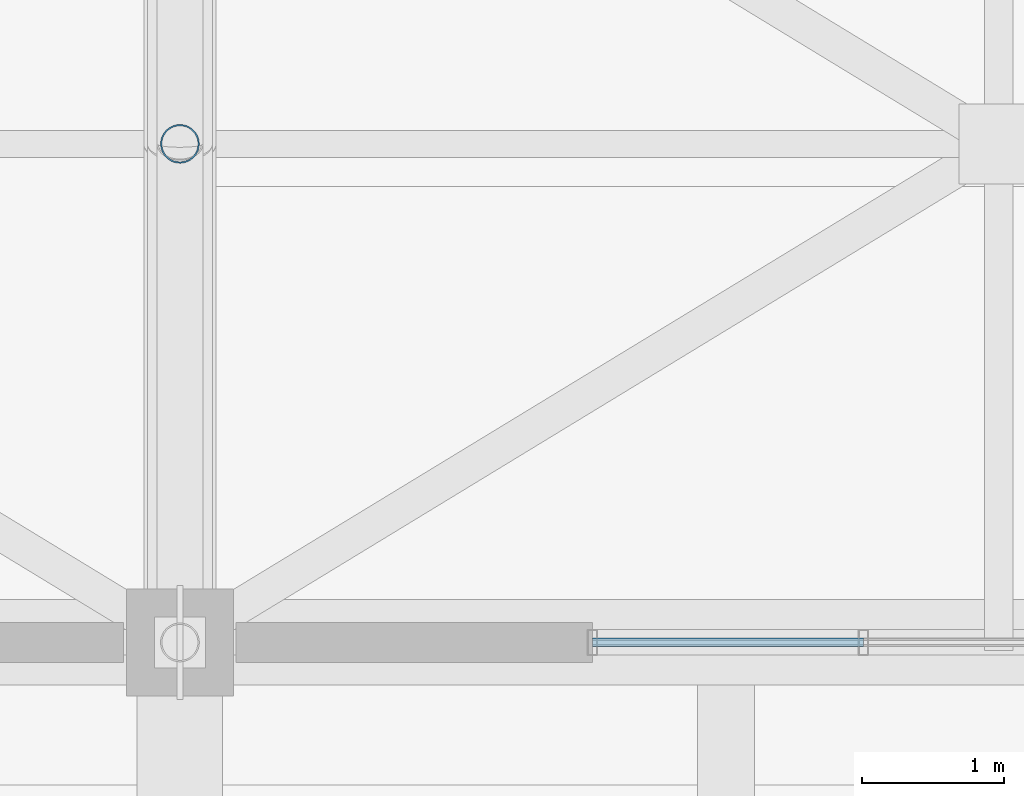
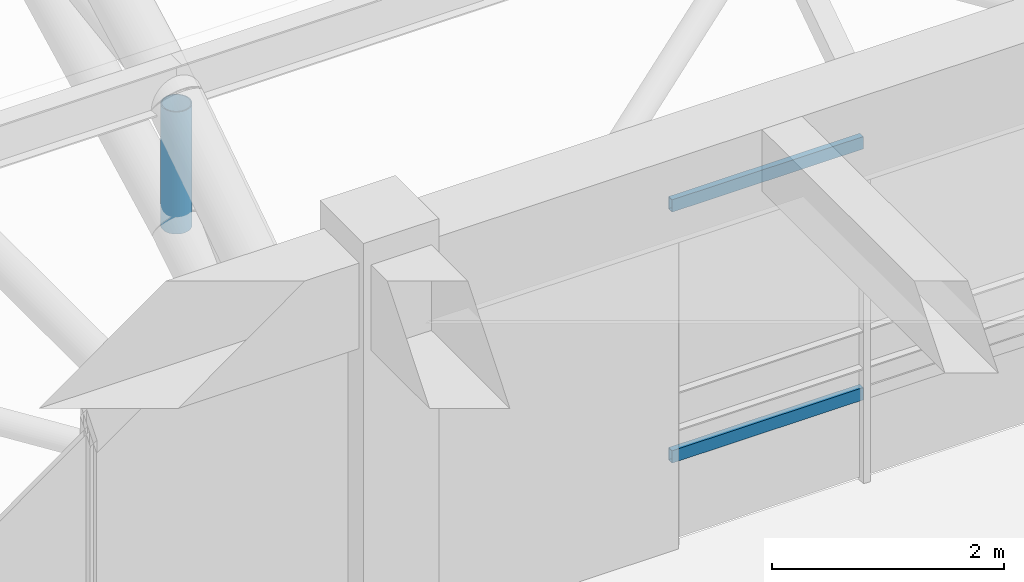
# One storey, part 37 of 154: 3 members, 1 element without a shape of its own.
"""IFC4 building model written with IfcOpenShell, lengths in metres."""

from ifc_helpers import new_model, si_unit, direction, frame, origin, origin_2d, place, context, subcontext, project, spatial, hollow_rectangle, hollow_circle, extrude, material, material_profile, profile_set, type_object, element, aggregate, save


model = new_model("IFC4")

# Units and contexts
model_context = context("Model", 3, precision=1e-05, world=origin(), true_north=direction((0.0, 1.0)))
body_context = subcontext(model_context, "Body", "Model", "MODEL_VIEW")
ifc_project = project(units=[si_unit("LENGTHUNIT", "METRE"), si_unit("AREAUNIT", "SQUARE_METRE"), si_unit("VOLUMEUNIT", "CUBIC_METRE"), si_unit("PLANEANGLEUNIT", "RADIAN"), si_unit("MASSUNIT", "GRAM", prefix="KILO")], contexts=[model_context])

# Site, building, storey
site_placement = place(None, origin())
site = spatial("IfcSite", under=ifc_project, at=site_placement, CompositionType="ELEMENT")
building_placement = place(site_placement, origin())
building = spatial("IfcBuilding", under=site, at=building_placement, Name="Ologun Quay Terminus", CompositionType="ELEMENT")
storey_placement = place(building_placement, frame((0.0, 0.0, 13.800048828125)))
storey = spatial("IfcBuildingStorey", under=building, at=storey_placement, Name="L03", CompositionType="ELEMENT", Elevation=13.800048828125)

# Member
ifc_material_1 = material(Name="Steel S355", Category="steel")
ifc_material_profile_1 = material_profile(ifc_material_1, hollow_circle(Radius=0.136474609375, WallThickness=0.010009765625, at=origin_2d()), Name="CHS 273x10")
ifc_profile_set_1 = profile_set([ifc_material_profile_1], Name="Steel S355")
member_type_1 = type_object("IfcMemberType", Name="Arch Truss Vertical Post CHS273", PredefinedType="STRUT", material=ifc_profile_set_1)
member_1_placement = place(storey_placement, frame((92.0, 39.5, 2.212158203125), z_axis=(0.0, 0.0, 1.0), x_axis=(1.0, 0.0, 0.0)))
element("IfcMember", 1, at=member_1_placement, inside=storey, type_object=member_type_1, Name="AW2 Arch Web Post 9-N1", PredefinedType="STRUT", context=body_context, shape_type="SweptSolid", body=[
    extrude(hollow_circle(Radius=0.136474609375, WallThickness=0.010009765625, at=origin_2d()), origin(), (0.0, 0.0, 1.0), 1.28564453125),
])

# Curtain wall, members
ifc_material_2 = material(Name="Aluminium 6063-T6", Category="aluminium")
curtain_wall_type = type_object("IfcCurtainWallType", Name="South Pavilion Clerestory Curtain Wall 10700x4050", PredefinedType="USERDEFINED", material=ifc_material_2)
curtain_wall_placement = place(storey_placement, origin())
curtain_wall = element("IfcCurtainWall", 2, at=curtain_wall_placement, inside=storey, type_object=curtain_wall_type, Name="CW-07 Curtain Wall CW-L03-043", ObjectType="UNITISED CURTAIN WALL", PredefinedType="USERDEFINED")
ifc_material_3 = material(Name="Aluminium 6063-T6", Category="aluminium")
ifc_material_profile_2 = material_profile(ifc_material_3, hollow_rectangle(XDim=0.06005859375, YDim=0.1298828125, WallThickness=0.00390625, at=origin_2d()), Name="ALU 130x60x4")
ifc_profile_set_2 = profile_set([ifc_material_profile_2], Name="Aluminium 6063-T6")
member_type_2 = type_object("IfcMemberType", Name="Concourse Clerestory Transom 130x60", PredefinedType="USERDEFINED", material=ifc_profile_set_2)
member_2_placement = place(storey_placement, frame((94.89501953125, 36.0, 0.89990234375), z_axis=(1.0, 0.0, 0.0), x_axis=(0.0, 1.0, 0.0)))
member_2 = element("IfcMember", 3, at=member_2_placement, type_object=member_type_2, Name="CW-L03-043 Transom B1-1", ObjectType="TRANSOM", PredefinedType="USERDEFINED", context=body_context, shape_type="SweptSolid", body=[
    extrude(hollow_rectangle(XDim=0.06005859375, YDim=0.1298828125, WallThickness=0.00390625, at=origin_2d()), origin(), (0.0, 0.0, 1.0), 1.9033203125),
])
member_3_placement = place(storey_placement, frame((94.89501953125, 36.0, 3.5400390625), z_axis=(1.0, 0.0, 0.0), x_axis=(0.0, 1.0, 0.0)))
member_3 = element("IfcMember", 4, at=member_3_placement, type_object=member_type_2, Name="CW-L03-043 Transom B1-2", ObjectType="TRANSOM", PredefinedType="USERDEFINED", context=body_context, shape_type="SweptSolid", body=[
    extrude(hollow_rectangle(XDim=0.06005859375, YDim=0.1298828125, WallThickness=0.00390625, at=origin_2d()), origin(), (0.0, 0.0, 1.0), 1.9033203125),
])
aggregate(curtain_wall, [member_2, member_3])

save(model, "model.ifc")
